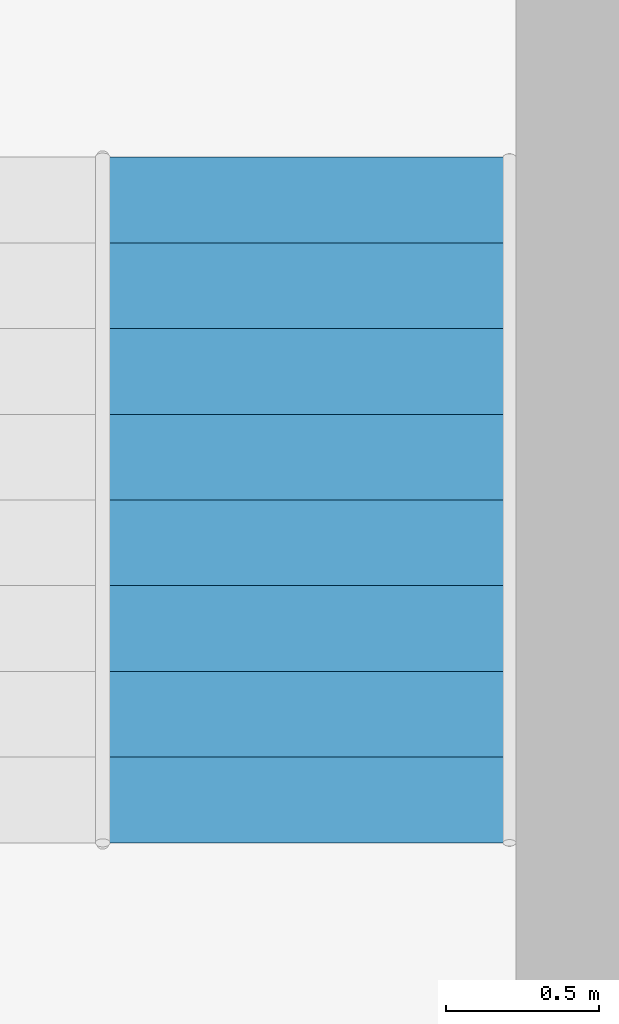
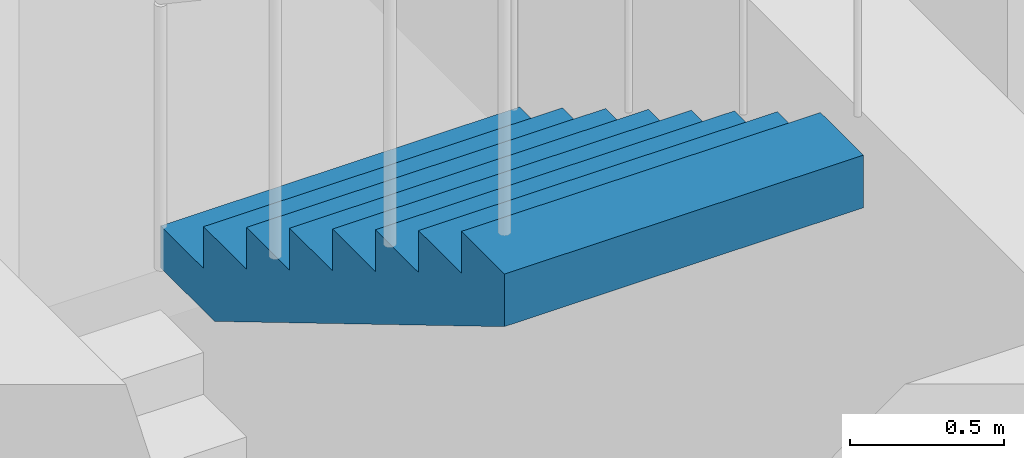
# One storey, part 16 of 33: 1 stair flight, 1 element without a shape of its own.
"""IFC4 building model written with IfcOpenShell, lengths in metres."""

from ifc_helpers import new_model, si_unit, direction, frame, origin, place, context, subcontext, project, spatial, polyline, outline, extrude, material, type_object, element, aggregate, save


model = new_model("IFC4")

# Units and contexts
model_context = context("Model", 3, precision=1e-05, world=origin(), true_north=direction((0.0, 1.0)))
body_context = subcontext(model_context, "Body", "Model", "MODEL_VIEW")
ifc_project = project(units=[si_unit("LENGTHUNIT", "METRE"), si_unit("AREAUNIT", "SQUARE_METRE"), si_unit("VOLUMEUNIT", "CUBIC_METRE"), si_unit("PLANEANGLEUNIT", "RADIAN"), si_unit("MASSUNIT", "GRAM", prefix="KILO")], contexts=[model_context])

# Site, building, storey
site_placement = place(None, origin())
site = spatial("IfcSite", under=ifc_project, at=site_placement, CompositionType="ELEMENT")
building_placement = place(site_placement, origin())
building = spatial("IfcBuilding", under=site, at=building_placement, Name="Impinga Residences", CompositionType="ELEMENT")
storey_placement = place(building_placement, origin())
storey = spatial("IfcBuildingStorey", under=building, at=storey_placement, Name="L00", CompositionType="ELEMENT", Elevation=0.0)

# Stair, stair flight
ifc_material = material(Name="Concrete C40/50", Category="concrete")
stair_type = type_object("IfcStairType", Name="STR wing stair 6000 storey, 36 risers", PredefinedType="HALF_TURN_STAIR", material=ifc_material)
stair_placement = place(storey_placement, origin())
stair = element("IfcStair", 1, at=stair_placement, inside=storey, type_object=stair_type, Name="Stair WS1 L00", PredefinedType="HALF_TURN_STAIR")
stair_flight_type = type_object("IfcStairFlightType", Name="SF 9 risers of 167", PredefinedType="STRAIGHT", material=ifc_material)
stair_flight_placement = place(storey_placement, frame((3.77490234375, 24.37158203125, 4.5), z_axis=(0.0, 0.0, 1.0), x_axis=(0.0, -1.0, 0.0)))
stair_flight = element("IfcStairFlight", 2, at=stair_flight_placement, type_object=stair_flight_type, Name="WS1 flight 4", NumberOfRisers=9, NumberOfTreads=8, PredefinedType="STRAIGHT", RiserHeight=0.166666667, TreadLength=0.28, context=body_context, shape_type="SweptSolid", body=[
    extrude(outline(polyline([(0.0, 0.0), (0.0, 0.166748046875), (0.280029296875, 0.166748046875), (0.280029296875, 0.333251953125), (0.56005859375, 0.333251953125), (0.56005859375, 0.5), (0.840087890625, 0.5), (0.840087890625, 0.666748046875), (1.1201171875, 0.666748046875), (1.1201171875, 0.833251953125), (1.39990234375, 0.833251953125), (1.39990234375, 1.0), (1.679931640625, 1.0), (1.679931640625, 1.166748046875), (1.9599609375, 1.166748046875), (1.9599609375, 1.333251953125), (2.239990234375, 1.333251953125), (2.239990234375, 1.5), (2.239990234375, 1.1240234375), (0.351806640625, 0.0), (0.0, 0.0)])), frame((0.0, 0.675048828125, 0.0), z_axis=(0.0, -1.0, 0.0), x_axis=(1.0, 0.0, 0.0)), (0.0, 0.0, 1.0), 1.35009765625),
])
aggregate(stair, [stair_flight])

save(model, "model.ifc")
